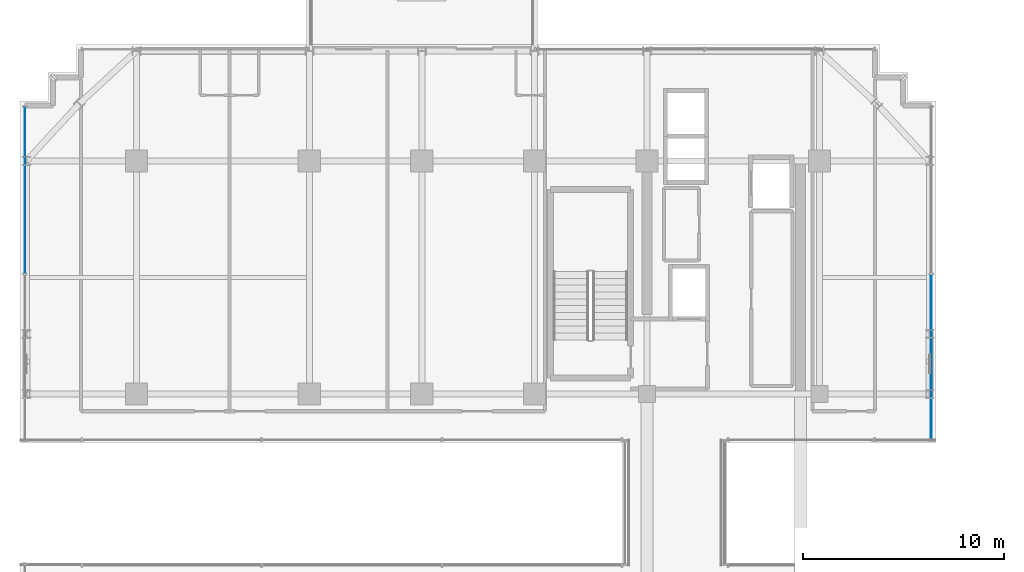
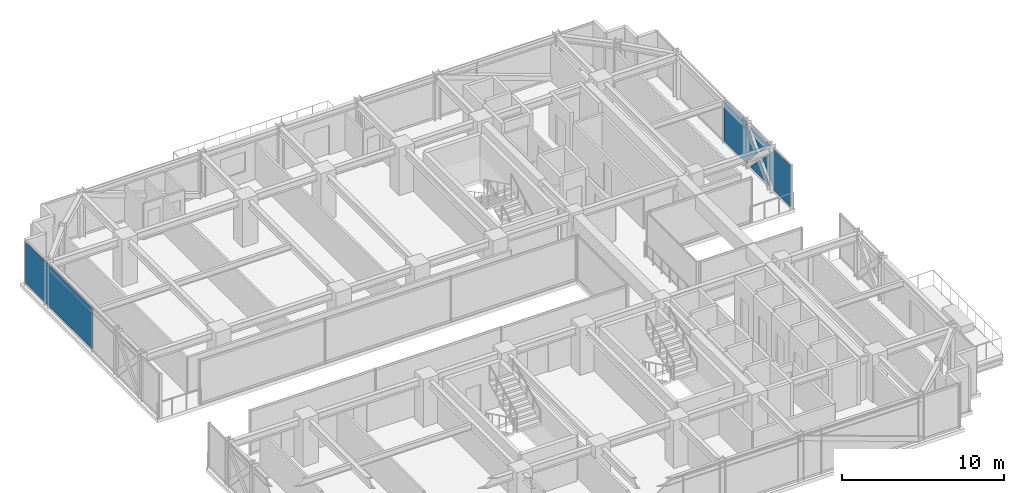
# One storey, part 31 of 41: 2 plates, 2 elements without a shape of their own.
"""IFC4 building model written with IfcOpenShell, lengths in metres."""

from ifc_helpers import new_model, si_unit, direction, frame, origin, origin_2d, place, context, subcontext, project, spatial, polyline, rectangle, outline, extrude, source, transform, mapped, material, layer, layer_set, type_object, element, aggregate, save


model = new_model("IFC4")

# Units and contexts
model_context = context("Model", 3, precision=1e-05, world=origin(), true_north=direction((0.0, 1.0)))
body_context = subcontext(model_context, "Body", "Model", "MODEL_VIEW")
ifc_project = project(units=[si_unit("LENGTHUNIT", "METRE"), si_unit("AREAUNIT", "SQUARE_METRE"), si_unit("VOLUMEUNIT", "CUBIC_METRE"), si_unit("PLANEANGLEUNIT", "RADIAN"), si_unit("MASSUNIT", "GRAM", prefix="KILO")], contexts=[model_context])

# Site, building, storey
site_placement = place(None, origin())
site = spatial("IfcSite", under=ifc_project, at=site_placement, CompositionType="ELEMENT")
building_placement = place(site_placement, origin())
building = spatial("IfcBuilding", under=site, at=building_placement, Name="Nahalor Promenade Grand Hotel", CompositionType="ELEMENT")
storey_placement = place(building_placement, frame((0.0, 0.0, 159.949951171875)))
storey = spatial("IfcBuildingStorey", under=building, at=storey_placement, Name="L40", CompositionType="ELEMENT", Elevation=159.949951171875)

# Curtain wall, plate
ifc_material_1 = material(Name="Anodised Bronze Aluminium EN AW-6063 T6", Category="aluminium")
curtain_wall_type = type_object("IfcCurtainWallType", Name="CW3 Elliptical-Void Collar Unitised Curtain Wall", PredefinedType="USERDEFINED", material=ifc_material_1)
curtain_wall_1_placement = place(storey_placement, origin())
curtain_wall_1 = element("IfcCurtainWall", 1, at=curtain_wall_1_placement, inside=storey, type_object=curtain_wall_type, Name="L40 Curtain Wall CW-L40-E-4", ObjectType="UNITISED_CURTAIN_WALL", PredefinedType="USERDEFINED")
ifc_material_2 = material(Name="Low-E Laminated Solar Glass", Category="glass")
ifc_layer = layer(ifc_material_2, 0.030029296875)
ifc_layer_set = layer_set([ifc_layer], Name="Low-E Laminated Solar Glass")
plate_type = type_object("IfcPlateType", Name="CWP3 High-Wind Laminated Bronze IGU 30mm", PredefinedType="CURTAIN_PANEL", material=ifc_layer_set)
plate_1_placement = place(storey_placement, frame((22.56005859375, 7.206787109375, 0.14013671875), z_axis=(0.0, 0.0, 1.0), x_axis=(0.0, 1.0, 0.0)))
plate_1 = element("IfcPlate", 2, at=plate_1_placement, type_object=plate_type, Name="CW-L40-E-4 Glazing Panel 0-0", PredefinedType="CURTAIN_PANEL", context=body_context, shape_type="SweptSolid", body=[
    extrude(outline(polyline([(-4.1376953125, 3.110107421875), (-4.1376953125, 0.0), (-1.832275390625, 0.0), (-1.9677734375, 0.13134765625), (-0.58544921875, 1.554931640625), (-1.9677734375, 2.978515625), (-1.832275390625, 3.110107421875), (-4.1376953125, 3.110107421875)])), frame((0.0, 0.01513671875, 0.0), z_axis=(0.0, -1.0, 0.0), x_axis=(1.0, 0.0, 0.0)), (0.0, 0.0, 1.0), 0.030029296875),
    extrude(outline(polyline([(-0.306640625, 1.267822265625), (-1.53759765625, 0.0), (0.92431640625, 0.0), (-0.306640625, 1.267822265625)])), frame((0.0, 0.01513671875, 0.0), z_axis=(0.0, -1.0, 0.0), x_axis=(1.0, 0.0, 0.0)), (0.0, 0.0, 1.0), 0.030029296875),
    extrude(outline(polyline([(-0.306640625, 1.842041015625), (0.92431640625, 3.110107421875), (-1.53759765625, 3.110107421875), (-0.306640625, 1.842041015625)])), frame((0.0, 0.01513671875, 0.0), z_axis=(0.0, -1.0, 0.0), x_axis=(1.0, 0.0, 0.0)), (0.0, 0.0, 1.0), 0.030029296875),
    extrude(outline(polyline([(4.1376953125, 0.0), (4.1376953125, 3.110107421875), (1.21875, 3.110107421875), (1.354248046875, 2.978515625), (-0.028076171875, 1.554931640625), (1.354248046875, 0.13134765625), (1.21875, 0.0), (4.1376953125, 0.0)])), frame((0.0, 0.01513671875, 0.0), z_axis=(0.0, -1.0, 0.0), x_axis=(1.0, 0.0, 0.0)), (0.0, 0.0, 1.0), 0.030029296875),
])
aggregate(curtain_wall_1, [plate_1])

curtain_wall_2_placement = place(storey_placement, origin())
curtain_wall_2 = element("IfcCurtainWall", 3, at=curtain_wall_2_placement, inside=storey, type_object=curtain_wall_type, Name="L40 Curtain Wall CW-L40-W-2", ObjectType="UNITISED_CURTAIN_WALL", PredefinedType="USERDEFINED")
shared_shape = source(origin(), body_context, "Body", "SweptSolid", [
    extrude(rectangle(XDim=8.275390625, YDim=0.030029296875, at=origin_2d()), origin(), (0.0, 0.0, 1.0), 3.110107421875),
])
plate_2_placement = place(storey_placement, frame((-22.56005859375, 15.55224609375, 0.14013671875), z_axis=(0.0, 0.0, 1.0), x_axis=(0.0, 1.0, 0.0)))
plate_2 = element("IfcPlate", 4, at=plate_2_placement, type_object=plate_type, Name="CW-L40-W-2 Glazing Panel 1-0", PredefinedType="CURTAIN_PANEL", context=body_context, shape_type="MappedRepresentation", body=[
    mapped(shared_shape, transform((0.0, 0.0, 0.0), scale=1.0)),
])
aggregate(curtain_wall_2, [plate_2])

save(model, "model.ifc")
